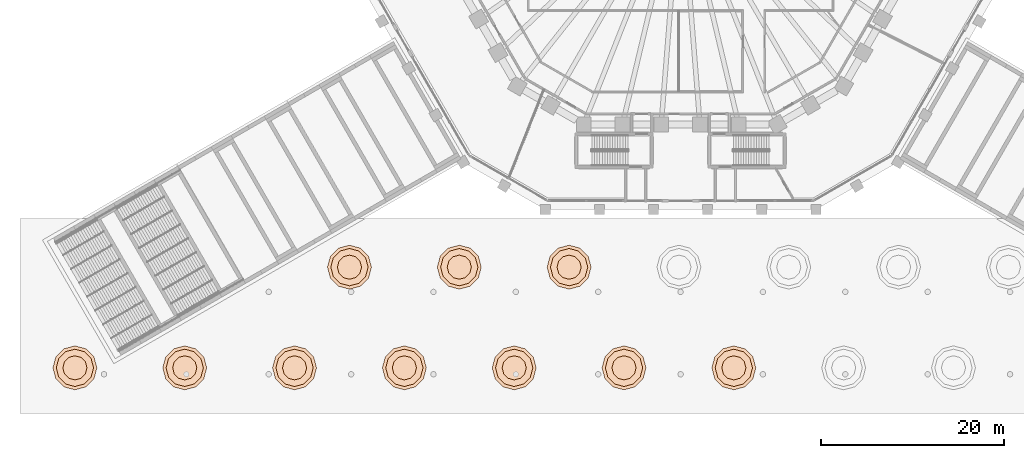
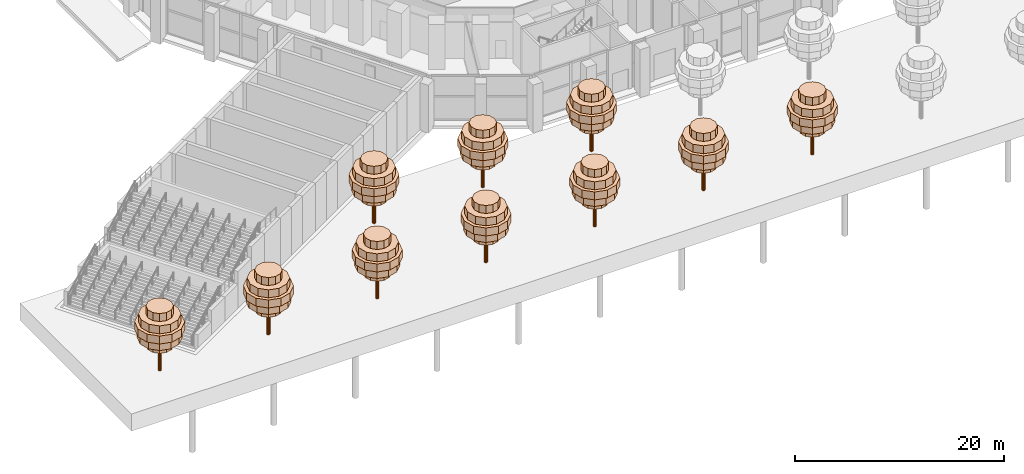
# One storey, part 42 of 44: 10 geographic elements.
"""IFC4 building model written with IfcOpenShell, lengths in metres."""

from ifc_helpers import new_model, si_unit, direction, frame, origin, place, context, subcontext, project, spatial, polyline, outline, extrude, element, save


model = new_model("IFC4")

# Units and contexts
model_context = context("Model", 3, precision=1e-05, world=origin(), true_north=direction((0.0, 1.0)))
body_context = subcontext(model_context, "Body", "Model", "MODEL_VIEW")
ifc_project = project(units=[si_unit("LENGTHUNIT", "METRE"), si_unit("AREAUNIT", "SQUARE_METRE"), si_unit("VOLUMEUNIT", "CUBIC_METRE"), si_unit("PLANEANGLEUNIT", "RADIAN"), si_unit("MASSUNIT", "GRAM", prefix="KILO")], contexts=[model_context])

# Site, building, storey
site_placement = place(None, origin())
site = spatial("IfcSite", under=ifc_project, at=site_placement, CompositionType="ELEMENT")
building_placement = place(site_placement, origin())
building = spatial("IfcBuilding", under=site, at=building_placement, Name="Frailejon Research Tower", CompositionType="ELEMENT")
storey_placement = place(building_placement, origin())
storey = spatial("IfcBuildingStorey", under=building, at=storey_placement, Name="L00", CompositionType="ELEMENT", Elevation=0.0)

# Geographic elements
geographic_element_1_placement = place(storey_placement, frame((-66.178955078125, -53.2958984375, 0.0)))
element("IfcGeographicElement", 1, at=geographic_element_1_placement, inside=storey, Name="Plaza tree", ObjectType="TREE", PredefinedType="USERDEFINED", context=body_context, shape_type="SweptSolid", body=[
    extrude(outline(polyline([(0.179931640625, 0.0), (0.156005859375, 0.090087890625), (0.090087890625, 0.156005859375), (0.0, 0.179931640625), (-0.090087890625, 0.156005859375), (-0.156005859375, 0.090087890625), (-0.179931640625, 0.0), (-0.156005859375, -0.090087890625), (-0.090087890625, -0.156005859375), (0.0, -0.179931640625), (0.090087890625, -0.156005859375), (0.156005859375, -0.090087890625), (0.179931640625, 0.0)])), origin(), (0.0, 0.0, 1.0), 5.639892578125),
    extrude(outline(polyline([(1.320068359375, 0.0), (1.14306640625, 0.659912109375), (0.659912109375, 1.14306640625), (0.0, 1.320068359375), (-0.659912109375, 1.14306640625), (-1.14306640625, 0.659912109375), (-1.320068359375, 0.0), (-1.14306640625, -0.659912109375), (-0.659912109375, -1.14306640625), (0.0, -1.320068359375), (0.659912109375, -1.14306640625), (1.14306640625, -0.659912109375), (1.320068359375, 0.0)])), frame((0.0, 0.0, 2.85009765625)), (0.0, 0.0, 1.0), 0.929931640625),
    extrude(outline(polyline([(2.159912109375, 0.0), (1.87060546875, 1.080078125), (1.080078125, 1.87060546875), (0.0, 2.159912109375), (-1.080078125, 1.87060546875), (-1.87060546875, 1.080078125), (-2.159912109375, 0.0), (-1.87060546875, -1.080078125), (-1.080078125, -1.87060546875), (0.0, -2.159912109375), (1.080078125, -1.87060546875), (1.87060546875, -1.080078125), (2.159912109375, 0.0)])), frame((0.0, 0.0, 3.780029296875)), (0.0, 0.0, 1.0), 0.929931640625),
    extrude(outline(polyline([(2.39990234375, 0.0), (2.078369140625, 1.199951171875), (1.199951171875, 2.078369140625), (0.0, 2.39990234375), (-1.199951171875, 2.078369140625), (-2.078369140625, 1.199951171875), (-2.39990234375, 0.0), (-2.078369140625, -1.199951171875), (-1.199951171875, -2.078369140625), (0.0, -2.39990234375), (1.199951171875, -2.078369140625), (2.078369140625, -1.199951171875), (2.39990234375, 0.0)])), frame((0.0, 0.0, 4.7099609375)), (0.0, 0.0, 1.0), 0.929931640625),
    extrude(outline(polyline([(2.0400390625, 0.0), (1.7666015625, 1.02001953125), (1.02001953125, 1.7666015625), (0.0, 2.0400390625), (-1.02001953125, 1.7666015625), (-1.7666015625, 1.02001953125), (-2.0400390625, 0.0), (-1.7666015625, -1.02001953125), (-1.02001953125, -1.7666015625), (0.0, -2.0400390625), (1.02001953125, -1.7666015625), (1.7666015625, -1.02001953125), (2.0400390625, 0.0)])), frame((0.0, 0.0, 5.639892578125)), (0.0, 0.0, 1.0), 0.929931640625),
    extrude(outline(polyline([(1.320068359375, 0.0), (1.14306640625, 0.659912109375), (0.659912109375, 1.14306640625), (0.0, 1.320068359375), (-0.659912109375, 1.14306640625), (-1.14306640625, 0.659912109375), (-1.320068359375, 0.0), (-1.14306640625, -0.659912109375), (-0.659912109375, -1.14306640625), (0.0, -1.320068359375), (0.659912109375, -1.14306640625), (1.14306640625, -0.659912109375), (1.320068359375, 0.0)])), frame((0.0, 0.0, 6.570068359375)), (0.0, 0.0, 1.0), 0.929931640625),
])
geographic_element_2_placement = place(storey_placement, frame((-54.178955078125, -53.2958984375, 0.0)))
element("IfcGeographicElement", 2, at=geographic_element_2_placement, inside=storey, Name="Plaza tree", ObjectType="TREE", PredefinedType="USERDEFINED", context=body_context, shape_type="SweptSolid", body=[
    extrude(outline(polyline([(0.179931640625, 0.0), (0.156005859375, 0.090087890625), (0.090087890625, 0.156005859375), (0.0, 0.179931640625), (-0.090087890625, 0.156005859375), (-0.156005859375, 0.090087890625), (-0.179931640625, 0.0), (-0.156005859375, -0.090087890625), (-0.090087890625, -0.156005859375), (0.0, -0.179931640625), (0.090087890625, -0.156005859375), (0.156005859375, -0.090087890625), (0.179931640625, 0.0)])), origin(), (0.0, 0.0, 1.0), 5.639892578125),
    extrude(outline(polyline([(1.320068359375, 0.0), (1.14306640625, 0.659912109375), (0.659912109375, 1.14306640625), (0.0, 1.320068359375), (-0.659912109375, 1.14306640625), (-1.14306640625, 0.659912109375), (-1.320068359375, 0.0), (-1.14306640625, -0.659912109375), (-0.659912109375, -1.14306640625), (0.0, -1.320068359375), (0.659912109375, -1.14306640625), (1.14306640625, -0.659912109375), (1.320068359375, 0.0)])), frame((0.0, 0.0, 2.85009765625)), (0.0, 0.0, 1.0), 0.929931640625),
    extrude(outline(polyline([(2.159912109375, 0.0), (1.87060546875, 1.080078125), (1.080078125, 1.87060546875), (0.0, 2.159912109375), (-1.080078125, 1.87060546875), (-1.87060546875, 1.080078125), (-2.159912109375, 0.0), (-1.87060546875, -1.080078125), (-1.080078125, -1.87060546875), (0.0, -2.159912109375), (1.080078125, -1.87060546875), (1.87060546875, -1.080078125), (2.159912109375, 0.0)])), frame((0.0, 0.0, 3.780029296875)), (0.0, 0.0, 1.0), 0.929931640625),
    extrude(outline(polyline([(2.39990234375, 0.0), (2.078369140625, 1.199951171875), (1.199951171875, 2.078369140625), (0.0, 2.39990234375), (-1.199951171875, 2.078369140625), (-2.078369140625, 1.199951171875), (-2.39990234375, 0.0), (-2.078369140625, -1.199951171875), (-1.199951171875, -2.078369140625), (0.0, -2.39990234375), (1.199951171875, -2.078369140625), (2.078369140625, -1.199951171875), (2.39990234375, 0.0)])), frame((0.0, 0.0, 4.7099609375)), (0.0, 0.0, 1.0), 0.929931640625),
    extrude(outline(polyline([(2.0400390625, 0.0), (1.7666015625, 1.02001953125), (1.02001953125, 1.7666015625), (0.0, 2.0400390625), (-1.02001953125, 1.7666015625), (-1.7666015625, 1.02001953125), (-2.0400390625, 0.0), (-1.7666015625, -1.02001953125), (-1.02001953125, -1.7666015625), (0.0, -2.0400390625), (1.02001953125, -1.7666015625), (1.7666015625, -1.02001953125), (2.0400390625, 0.0)])), frame((0.0, 0.0, 5.639892578125)), (0.0, 0.0, 1.0), 0.929931640625),
    extrude(outline(polyline([(1.320068359375, 0.0), (1.14306640625, 0.659912109375), (0.659912109375, 1.14306640625), (0.0, 1.320068359375), (-0.659912109375, 1.14306640625), (-1.14306640625, 0.659912109375), (-1.320068359375, 0.0), (-1.14306640625, -0.659912109375), (-0.659912109375, -1.14306640625), (0.0, -1.320068359375), (0.659912109375, -1.14306640625), (1.14306640625, -0.659912109375), (1.320068359375, 0.0)])), frame((0.0, 0.0, 6.570068359375)), (0.0, 0.0, 1.0), 0.929931640625),
])
geographic_element_3_placement = place(storey_placement, frame((-42.178955078125, -53.2958984375, 0.0)))
element("IfcGeographicElement", 3, at=geographic_element_3_placement, inside=storey, Name="Plaza tree", ObjectType="TREE", PredefinedType="USERDEFINED", context=body_context, shape_type="SweptSolid", body=[
    extrude(outline(polyline([(0.179931640625, 0.0), (0.156005859375, 0.090087890625), (0.090087890625, 0.156005859375), (0.0, 0.179931640625), (-0.090087890625, 0.156005859375), (-0.156005859375, 0.090087890625), (-0.179931640625, 0.0), (-0.156005859375, -0.090087890625), (-0.090087890625, -0.156005859375), (0.0, -0.179931640625), (0.090087890625, -0.156005859375), (0.156005859375, -0.090087890625), (0.179931640625, 0.0)])), origin(), (0.0, 0.0, 1.0), 5.639892578125),
    extrude(outline(polyline([(1.320068359375, 0.0), (1.14306640625, 0.659912109375), (0.659912109375, 1.14306640625), (0.0, 1.320068359375), (-0.659912109375, 1.14306640625), (-1.14306640625, 0.659912109375), (-1.320068359375, 0.0), (-1.14306640625, -0.659912109375), (-0.659912109375, -1.14306640625), (0.0, -1.320068359375), (0.659912109375, -1.14306640625), (1.14306640625, -0.659912109375), (1.320068359375, 0.0)])), frame((0.0, 0.0, 2.85009765625)), (0.0, 0.0, 1.0), 0.929931640625),
    extrude(outline(polyline([(2.159912109375, 0.0), (1.87060546875, 1.080078125), (1.080078125, 1.87060546875), (0.0, 2.159912109375), (-1.080078125, 1.87060546875), (-1.87060546875, 1.080078125), (-2.159912109375, 0.0), (-1.87060546875, -1.080078125), (-1.080078125, -1.87060546875), (0.0, -2.159912109375), (1.080078125, -1.87060546875), (1.87060546875, -1.080078125), (2.159912109375, 0.0)])), frame((0.0, 0.0, 3.780029296875)), (0.0, 0.0, 1.0), 0.929931640625),
    extrude(outline(polyline([(2.39990234375, 0.0), (2.078369140625, 1.199951171875), (1.199951171875, 2.078369140625), (0.0, 2.39990234375), (-1.199951171875, 2.078369140625), (-2.078369140625, 1.199951171875), (-2.39990234375, 0.0), (-2.078369140625, -1.199951171875), (-1.199951171875, -2.078369140625), (0.0, -2.39990234375), (1.199951171875, -2.078369140625), (2.078369140625, -1.199951171875), (2.39990234375, 0.0)])), frame((0.0, 0.0, 4.7099609375)), (0.0, 0.0, 1.0), 0.929931640625),
    extrude(outline(polyline([(2.0400390625, 0.0), (1.7666015625, 1.02001953125), (1.02001953125, 1.7666015625), (0.0, 2.0400390625), (-1.02001953125, 1.7666015625), (-1.7666015625, 1.02001953125), (-2.0400390625, 0.0), (-1.7666015625, -1.02001953125), (-1.02001953125, -1.7666015625), (0.0, -2.0400390625), (1.02001953125, -1.7666015625), (1.7666015625, -1.02001953125), (2.0400390625, 0.0)])), frame((0.0, 0.0, 5.639892578125)), (0.0, 0.0, 1.0), 0.929931640625),
    extrude(outline(polyline([(1.320068359375, 0.0), (1.14306640625, 0.659912109375), (0.659912109375, 1.14306640625), (0.0, 1.320068359375), (-0.659912109375, 1.14306640625), (-1.14306640625, 0.659912109375), (-1.320068359375, 0.0), (-1.14306640625, -0.659912109375), (-0.659912109375, -1.14306640625), (0.0, -1.320068359375), (0.659912109375, -1.14306640625), (1.14306640625, -0.659912109375), (1.320068359375, 0.0)])), frame((0.0, 0.0, 6.570068359375)), (0.0, 0.0, 1.0), 0.929931640625),
])
geographic_element_4_placement = place(storey_placement, frame((-30.178955078125, -53.2958984375, 0.0)))
element("IfcGeographicElement", 4, at=geographic_element_4_placement, inside=storey, Name="Plaza tree", ObjectType="TREE", PredefinedType="USERDEFINED", context=body_context, shape_type="SweptSolid", body=[
    extrude(outline(polyline([(0.179931640625, 0.0), (0.156005859375, 0.090087890625), (0.090087890625, 0.156005859375), (0.0, 0.179931640625), (-0.090087890625, 0.156005859375), (-0.156005859375, 0.090087890625), (-0.179931640625, 0.0), (-0.156005859375, -0.090087890625), (-0.090087890625, -0.156005859375), (0.0, -0.179931640625), (0.090087890625, -0.156005859375), (0.156005859375, -0.090087890625), (0.179931640625, 0.0)])), origin(), (0.0, 0.0, 1.0), 5.639892578125),
    extrude(outline(polyline([(1.320068359375, 0.0), (1.14306640625, 0.659912109375), (0.659912109375, 1.14306640625), (0.0, 1.320068359375), (-0.659912109375, 1.14306640625), (-1.14306640625, 0.659912109375), (-1.320068359375, 0.0), (-1.14306640625, -0.659912109375), (-0.659912109375, -1.14306640625), (0.0, -1.320068359375), (0.659912109375, -1.14306640625), (1.14306640625, -0.659912109375), (1.320068359375, 0.0)])), frame((0.0, 0.0, 2.85009765625)), (0.0, 0.0, 1.0), 0.929931640625),
    extrude(outline(polyline([(2.159912109375, 0.0), (1.87060546875, 1.080078125), (1.080078125, 1.87060546875), (0.0, 2.159912109375), (-1.080078125, 1.87060546875), (-1.87060546875, 1.080078125), (-2.159912109375, 0.0), (-1.87060546875, -1.080078125), (-1.080078125, -1.87060546875), (0.0, -2.159912109375), (1.080078125, -1.87060546875), (1.87060546875, -1.080078125), (2.159912109375, 0.0)])), frame((0.0, 0.0, 3.780029296875)), (0.0, 0.0, 1.0), 0.929931640625),
    extrude(outline(polyline([(2.39990234375, 0.0), (2.078369140625, 1.199951171875), (1.199951171875, 2.078369140625), (0.0, 2.39990234375), (-1.199951171875, 2.078369140625), (-2.078369140625, 1.199951171875), (-2.39990234375, 0.0), (-2.078369140625, -1.199951171875), (-1.199951171875, -2.078369140625), (0.0, -2.39990234375), (1.199951171875, -2.078369140625), (2.078369140625, -1.199951171875), (2.39990234375, 0.0)])), frame((0.0, 0.0, 4.7099609375)), (0.0, 0.0, 1.0), 0.929931640625),
    extrude(outline(polyline([(2.0400390625, 0.0), (1.7666015625, 1.02001953125), (1.02001953125, 1.7666015625), (0.0, 2.0400390625), (-1.02001953125, 1.7666015625), (-1.7666015625, 1.02001953125), (-2.0400390625, 0.0), (-1.7666015625, -1.02001953125), (-1.02001953125, -1.7666015625), (0.0, -2.0400390625), (1.02001953125, -1.7666015625), (1.7666015625, -1.02001953125), (2.0400390625, 0.0)])), frame((0.0, 0.0, 5.639892578125)), (0.0, 0.0, 1.0), 0.929931640625),
    extrude(outline(polyline([(1.320068359375, 0.0), (1.14306640625, 0.659912109375), (0.659912109375, 1.14306640625), (0.0, 1.320068359375), (-0.659912109375, 1.14306640625), (-1.14306640625, 0.659912109375), (-1.320068359375, 0.0), (-1.14306640625, -0.659912109375), (-0.659912109375, -1.14306640625), (0.0, -1.320068359375), (0.659912109375, -1.14306640625), (1.14306640625, -0.659912109375), (1.320068359375, 0.0)])), frame((0.0, 0.0, 6.570068359375)), (0.0, 0.0, 1.0), 0.929931640625),
])
geographic_element_5_placement = place(storey_placement, frame((-18.178955078125, -53.2958984375, 0.0)))
element("IfcGeographicElement", 5, at=geographic_element_5_placement, inside=storey, Name="Plaza tree", ObjectType="TREE", PredefinedType="USERDEFINED", context=body_context, shape_type="SweptSolid", body=[
    extrude(outline(polyline([(0.179931640625, 0.0), (0.156005859375, 0.090087890625), (0.090087890625, 0.156005859375), (0.0, 0.179931640625), (-0.090087890625, 0.156005859375), (-0.156005859375, 0.090087890625), (-0.179931640625, 0.0), (-0.156005859375, -0.090087890625), (-0.090087890625, -0.156005859375), (0.0, -0.179931640625), (0.090087890625, -0.156005859375), (0.156005859375, -0.090087890625), (0.179931640625, 0.0)])), origin(), (0.0, 0.0, 1.0), 5.639892578125),
    extrude(outline(polyline([(1.320068359375, 0.0), (1.14306640625, 0.659912109375), (0.659912109375, 1.14306640625), (0.0, 1.320068359375), (-0.659912109375, 1.14306640625), (-1.14306640625, 0.659912109375), (-1.320068359375, 0.0), (-1.14306640625, -0.659912109375), (-0.659912109375, -1.14306640625), (0.0, -1.320068359375), (0.659912109375, -1.14306640625), (1.14306640625, -0.659912109375), (1.320068359375, 0.0)])), frame((0.0, 0.0, 2.85009765625)), (0.0, 0.0, 1.0), 0.929931640625),
    extrude(outline(polyline([(2.159912109375, 0.0), (1.87060546875, 1.080078125), (1.080078125, 1.87060546875), (0.0, 2.159912109375), (-1.080078125, 1.87060546875), (-1.87060546875, 1.080078125), (-2.159912109375, 0.0), (-1.87060546875, -1.080078125), (-1.080078125, -1.87060546875), (0.0, -2.159912109375), (1.080078125, -1.87060546875), (1.87060546875, -1.080078125), (2.159912109375, 0.0)])), frame((0.0, 0.0, 3.780029296875)), (0.0, 0.0, 1.0), 0.929931640625),
    extrude(outline(polyline([(2.39990234375, 0.0), (2.078369140625, 1.199951171875), (1.199951171875, 2.078369140625), (0.0, 2.39990234375), (-1.199951171875, 2.078369140625), (-2.078369140625, 1.199951171875), (-2.39990234375, 0.0), (-2.078369140625, -1.199951171875), (-1.199951171875, -2.078369140625), (0.0, -2.39990234375), (1.199951171875, -2.078369140625), (2.078369140625, -1.199951171875), (2.39990234375, 0.0)])), frame((0.0, 0.0, 4.7099609375)), (0.0, 0.0, 1.0), 0.929931640625),
    extrude(outline(polyline([(2.0400390625, 0.0), (1.7666015625, 1.02001953125), (1.02001953125, 1.7666015625), (0.0, 2.0400390625), (-1.02001953125, 1.7666015625), (-1.7666015625, 1.02001953125), (-2.0400390625, 0.0), (-1.7666015625, -1.02001953125), (-1.02001953125, -1.7666015625), (0.0, -2.0400390625), (1.02001953125, -1.7666015625), (1.7666015625, -1.02001953125), (2.0400390625, 0.0)])), frame((0.0, 0.0, 5.639892578125)), (0.0, 0.0, 1.0), 0.929931640625),
    extrude(outline(polyline([(1.320068359375, 0.0), (1.14306640625, 0.659912109375), (0.659912109375, 1.14306640625), (0.0, 1.320068359375), (-0.659912109375, 1.14306640625), (-1.14306640625, 0.659912109375), (-1.320068359375, 0.0), (-1.14306640625, -0.659912109375), (-0.659912109375, -1.14306640625), (0.0, -1.320068359375), (0.659912109375, -1.14306640625), (1.14306640625, -0.659912109375), (1.320068359375, 0.0)])), frame((0.0, 0.0, 6.570068359375)), (0.0, 0.0, 1.0), 0.929931640625),
])
geographic_element_6_placement = place(storey_placement, frame((-6.178955078125, -53.2958984375, 0.0)))
element("IfcGeographicElement", 6, at=geographic_element_6_placement, inside=storey, Name="Plaza tree", ObjectType="TREE", PredefinedType="USERDEFINED", context=body_context, shape_type="SweptSolid", body=[
    extrude(outline(polyline([(0.179931640625, 0.0), (0.156005859375, 0.090087890625), (0.090087890625, 0.156005859375), (0.0, 0.179931640625), (-0.090087890625, 0.156005859375), (-0.156005859375, 0.090087890625), (-0.179931640625, 0.0), (-0.156005859375, -0.090087890625), (-0.090087890625, -0.156005859375), (0.0, -0.179931640625), (0.090087890625, -0.156005859375), (0.156005859375, -0.090087890625), (0.179931640625, 0.0)])), origin(), (0.0, 0.0, 1.0), 5.639892578125),
    extrude(outline(polyline([(1.320068359375, 0.0), (1.14306640625, 0.659912109375), (0.659912109375, 1.14306640625), (0.0, 1.320068359375), (-0.659912109375, 1.14306640625), (-1.14306640625, 0.659912109375), (-1.320068359375, 0.0), (-1.14306640625, -0.659912109375), (-0.659912109375, -1.14306640625), (0.0, -1.320068359375), (0.659912109375, -1.14306640625), (1.14306640625, -0.659912109375), (1.320068359375, 0.0)])), frame((0.0, 0.0, 2.85009765625)), (0.0, 0.0, 1.0), 0.929931640625),
    extrude(outline(polyline([(2.159912109375, 0.0), (1.87060546875, 1.080078125), (1.080078125, 1.87060546875), (0.0, 2.159912109375), (-1.080078125, 1.87060546875), (-1.87060546875, 1.080078125), (-2.159912109375, 0.0), (-1.87060546875, -1.080078125), (-1.080078125, -1.87060546875), (0.0, -2.159912109375), (1.080078125, -1.87060546875), (1.87060546875, -1.080078125), (2.159912109375, 0.0)])), frame((0.0, 0.0, 3.780029296875)), (0.0, 0.0, 1.0), 0.929931640625),
    extrude(outline(polyline([(2.39990234375, 0.0), (2.078369140625, 1.199951171875), (1.199951171875, 2.078369140625), (0.0, 2.39990234375), (-1.199951171875, 2.078369140625), (-2.078369140625, 1.199951171875), (-2.39990234375, 0.0), (-2.078369140625, -1.199951171875), (-1.199951171875, -2.078369140625), (0.0, -2.39990234375), (1.199951171875, -2.078369140625), (2.078369140625, -1.199951171875), (2.39990234375, 0.0)])), frame((0.0, 0.0, 4.7099609375)), (0.0, 0.0, 1.0), 0.929931640625),
    extrude(outline(polyline([(2.0400390625, 0.0), (1.7666015625, 1.02001953125), (1.02001953125, 1.7666015625), (0.0, 2.0400390625), (-1.02001953125, 1.7666015625), (-1.7666015625, 1.02001953125), (-2.0400390625, 0.0), (-1.7666015625, -1.02001953125), (-1.02001953125, -1.7666015625), (0.0, -2.0400390625), (1.02001953125, -1.7666015625), (1.7666015625, -1.02001953125), (2.0400390625, 0.0)])), frame((0.0, 0.0, 5.639892578125)), (0.0, 0.0, 1.0), 0.929931640625),
    extrude(outline(polyline([(1.320068359375, 0.0), (1.14306640625, 0.659912109375), (0.659912109375, 1.14306640625), (0.0, 1.320068359375), (-0.659912109375, 1.14306640625), (-1.14306640625, 0.659912109375), (-1.320068359375, 0.0), (-1.14306640625, -0.659912109375), (-0.659912109375, -1.14306640625), (0.0, -1.320068359375), (0.659912109375, -1.14306640625), (1.14306640625, -0.659912109375), (1.320068359375, 0.0)])), frame((0.0, 0.0, 6.570068359375)), (0.0, 0.0, 1.0), 0.929931640625),
])
geographic_element_7_placement = place(storey_placement, frame((5.821044921875, -53.2958984375, 0.0)))
element("IfcGeographicElement", 7, at=geographic_element_7_placement, inside=storey, Name="Plaza tree", ObjectType="TREE", PredefinedType="USERDEFINED", context=body_context, shape_type="SweptSolid", body=[
    extrude(outline(polyline([(0.179931640625, 0.0), (0.156005859375, 0.090087890625), (0.090087890625, 0.156005859375), (0.0, 0.179931640625), (-0.090087890625, 0.156005859375), (-0.156005859375, 0.090087890625), (-0.179931640625, 0.0), (-0.156005859375, -0.090087890625), (-0.090087890625, -0.156005859375), (0.0, -0.179931640625), (0.090087890625, -0.156005859375), (0.156005859375, -0.090087890625), (0.179931640625, 0.0)])), origin(), (0.0, 0.0, 1.0), 5.639892578125),
    extrude(outline(polyline([(1.320068359375, 0.0), (1.14306640625, 0.659912109375), (0.659912109375, 1.14306640625), (0.0, 1.320068359375), (-0.659912109375, 1.14306640625), (-1.14306640625, 0.659912109375), (-1.320068359375, 0.0), (-1.14306640625, -0.659912109375), (-0.659912109375, -1.14306640625), (0.0, -1.320068359375), (0.659912109375, -1.14306640625), (1.14306640625, -0.659912109375), (1.320068359375, 0.0)])), frame((0.0, 0.0, 2.85009765625)), (0.0, 0.0, 1.0), 0.929931640625),
    extrude(outline(polyline([(2.159912109375, 0.0), (1.87060546875, 1.080078125), (1.080078125, 1.87060546875), (0.0, 2.159912109375), (-1.080078125, 1.87060546875), (-1.87060546875, 1.080078125), (-2.159912109375, 0.0), (-1.87060546875, -1.080078125), (-1.080078125, -1.87060546875), (0.0, -2.159912109375), (1.080078125, -1.87060546875), (1.87060546875, -1.080078125), (2.159912109375, 0.0)])), frame((0.0, 0.0, 3.780029296875)), (0.0, 0.0, 1.0), 0.929931640625),
    extrude(outline(polyline([(2.39990234375, 0.0), (2.078369140625, 1.199951171875), (1.199951171875, 2.078369140625), (0.0, 2.39990234375), (-1.199951171875, 2.078369140625), (-2.078369140625, 1.199951171875), (-2.39990234375, 0.0), (-2.078369140625, -1.199951171875), (-1.199951171875, -2.078369140625), (0.0, -2.39990234375), (1.199951171875, -2.078369140625), (2.078369140625, -1.199951171875), (2.39990234375, 0.0)])), frame((0.0, 0.0, 4.7099609375)), (0.0, 0.0, 1.0), 0.929931640625),
    extrude(outline(polyline([(2.0400390625, 0.0), (1.7666015625, 1.02001953125), (1.02001953125, 1.7666015625), (0.0, 2.0400390625), (-1.02001953125, 1.7666015625), (-1.7666015625, 1.02001953125), (-2.0400390625, 0.0), (-1.7666015625, -1.02001953125), (-1.02001953125, -1.7666015625), (0.0, -2.0400390625), (1.02001953125, -1.7666015625), (1.7666015625, -1.02001953125), (2.0400390625, 0.0)])), frame((0.0, 0.0, 5.639892578125)), (0.0, 0.0, 1.0), 0.929931640625),
    extrude(outline(polyline([(1.320068359375, 0.0), (1.14306640625, 0.659912109375), (0.659912109375, 1.14306640625), (0.0, 1.320068359375), (-0.659912109375, 1.14306640625), (-1.14306640625, 0.659912109375), (-1.320068359375, 0.0), (-1.14306640625, -0.659912109375), (-0.659912109375, -1.14306640625), (0.0, -1.320068359375), (0.659912109375, -1.14306640625), (1.14306640625, -0.659912109375), (1.320068359375, 0.0)])), frame((0.0, 0.0, 6.570068359375)), (0.0, 0.0, 1.0), 0.929931640625),
])
geographic_element_8_placement = place(storey_placement, frame((-36.178955078125, -42.2958984375, 0.0)))
element("IfcGeographicElement", 8, at=geographic_element_8_placement, inside=storey, Name="Plaza tree", ObjectType="TREE", PredefinedType="USERDEFINED", context=body_context, shape_type="SweptSolid", body=[
    extrude(outline(polyline([(0.179931640625, 0.0), (0.156005859375, 0.090087890625), (0.090087890625, 0.156005859375), (0.0, 0.179931640625), (-0.090087890625, 0.156005859375), (-0.156005859375, 0.090087890625), (-0.179931640625, 0.0), (-0.156005859375, -0.090087890625), (-0.090087890625, -0.156005859375), (0.0, -0.179931640625), (0.090087890625, -0.156005859375), (0.156005859375, -0.090087890625), (0.179931640625, 0.0)])), origin(), (0.0, 0.0, 1.0), 5.639892578125),
    extrude(outline(polyline([(1.320068359375, 0.0), (1.14306640625, 0.659912109375), (0.659912109375, 1.14306640625), (0.0, 1.320068359375), (-0.659912109375, 1.14306640625), (-1.14306640625, 0.659912109375), (-1.320068359375, 0.0), (-1.14306640625, -0.659912109375), (-0.659912109375, -1.14306640625), (0.0, -1.320068359375), (0.659912109375, -1.14306640625), (1.14306640625, -0.659912109375), (1.320068359375, 0.0)])), frame((0.0, 0.0, 2.85009765625)), (0.0, 0.0, 1.0), 0.929931640625),
    extrude(outline(polyline([(2.159912109375, 0.0), (1.87060546875, 1.080078125), (1.080078125, 1.87060546875), (0.0, 2.159912109375), (-1.080078125, 1.87060546875), (-1.87060546875, 1.080078125), (-2.159912109375, 0.0), (-1.87060546875, -1.080078125), (-1.080078125, -1.87060546875), (0.0, -2.159912109375), (1.080078125, -1.87060546875), (1.87060546875, -1.080078125), (2.159912109375, 0.0)])), frame((0.0, 0.0, 3.780029296875)), (0.0, 0.0, 1.0), 0.929931640625),
    extrude(outline(polyline([(2.39990234375, 0.0), (2.078369140625, 1.199951171875), (1.199951171875, 2.078369140625), (0.0, 2.39990234375), (-1.199951171875, 2.078369140625), (-2.078369140625, 1.199951171875), (-2.39990234375, 0.0), (-2.078369140625, -1.199951171875), (-1.199951171875, -2.078369140625), (0.0, -2.39990234375), (1.199951171875, -2.078369140625), (2.078369140625, -1.199951171875), (2.39990234375, 0.0)])), frame((0.0, 0.0, 4.7099609375)), (0.0, 0.0, 1.0), 0.929931640625),
    extrude(outline(polyline([(2.0400390625, 0.0), (1.7666015625, 1.02001953125), (1.02001953125, 1.7666015625), (0.0, 2.0400390625), (-1.02001953125, 1.7666015625), (-1.7666015625, 1.02001953125), (-2.0400390625, 0.0), (-1.7666015625, -1.02001953125), (-1.02001953125, -1.7666015625), (0.0, -2.0400390625), (1.02001953125, -1.7666015625), (1.7666015625, -1.02001953125), (2.0400390625, 0.0)])), frame((0.0, 0.0, 5.639892578125)), (0.0, 0.0, 1.0), 0.929931640625),
    extrude(outline(polyline([(1.320068359375, 0.0), (1.14306640625, 0.659912109375), (0.659912109375, 1.14306640625), (0.0, 1.320068359375), (-0.659912109375, 1.14306640625), (-1.14306640625, 0.659912109375), (-1.320068359375, 0.0), (-1.14306640625, -0.659912109375), (-0.659912109375, -1.14306640625), (0.0, -1.320068359375), (0.659912109375, -1.14306640625), (1.14306640625, -0.659912109375), (1.320068359375, 0.0)])), frame((0.0, 0.0, 6.570068359375)), (0.0, 0.0, 1.0), 0.929931640625),
])
geographic_element_9_placement = place(storey_placement, frame((-24.178955078125, -42.2958984375, 0.0)))
element("IfcGeographicElement", 9, at=geographic_element_9_placement, inside=storey, Name="Plaza tree", ObjectType="TREE", PredefinedType="USERDEFINED", context=body_context, shape_type="SweptSolid", body=[
    extrude(outline(polyline([(0.179931640625, 0.0), (0.156005859375, 0.090087890625), (0.090087890625, 0.156005859375), (0.0, 0.179931640625), (-0.090087890625, 0.156005859375), (-0.156005859375, 0.090087890625), (-0.179931640625, 0.0), (-0.156005859375, -0.090087890625), (-0.090087890625, -0.156005859375), (0.0, -0.179931640625), (0.090087890625, -0.156005859375), (0.156005859375, -0.090087890625), (0.179931640625, 0.0)])), origin(), (0.0, 0.0, 1.0), 5.639892578125),
    extrude(outline(polyline([(1.320068359375, 0.0), (1.14306640625, 0.659912109375), (0.659912109375, 1.14306640625), (0.0, 1.320068359375), (-0.659912109375, 1.14306640625), (-1.14306640625, 0.659912109375), (-1.320068359375, 0.0), (-1.14306640625, -0.659912109375), (-0.659912109375, -1.14306640625), (0.0, -1.320068359375), (0.659912109375, -1.14306640625), (1.14306640625, -0.659912109375), (1.320068359375, 0.0)])), frame((0.0, 0.0, 2.85009765625)), (0.0, 0.0, 1.0), 0.929931640625),
    extrude(outline(polyline([(2.159912109375, 0.0), (1.87060546875, 1.080078125), (1.080078125, 1.87060546875), (0.0, 2.159912109375), (-1.080078125, 1.87060546875), (-1.87060546875, 1.080078125), (-2.159912109375, 0.0), (-1.87060546875, -1.080078125), (-1.080078125, -1.87060546875), (0.0, -2.159912109375), (1.080078125, -1.87060546875), (1.87060546875, -1.080078125), (2.159912109375, 0.0)])), frame((0.0, 0.0, 3.780029296875)), (0.0, 0.0, 1.0), 0.929931640625),
    extrude(outline(polyline([(2.39990234375, 0.0), (2.078369140625, 1.199951171875), (1.199951171875, 2.078369140625), (0.0, 2.39990234375), (-1.199951171875, 2.078369140625), (-2.078369140625, 1.199951171875), (-2.39990234375, 0.0), (-2.078369140625, -1.199951171875), (-1.199951171875, -2.078369140625), (0.0, -2.39990234375), (1.199951171875, -2.078369140625), (2.078369140625, -1.199951171875), (2.39990234375, 0.0)])), frame((0.0, 0.0, 4.7099609375)), (0.0, 0.0, 1.0), 0.929931640625),
    extrude(outline(polyline([(2.0400390625, 0.0), (1.7666015625, 1.02001953125), (1.02001953125, 1.7666015625), (0.0, 2.0400390625), (-1.02001953125, 1.7666015625), (-1.7666015625, 1.02001953125), (-2.0400390625, 0.0), (-1.7666015625, -1.02001953125), (-1.02001953125, -1.7666015625), (0.0, -2.0400390625), (1.02001953125, -1.7666015625), (1.7666015625, -1.02001953125), (2.0400390625, 0.0)])), frame((0.0, 0.0, 5.639892578125)), (0.0, 0.0, 1.0), 0.929931640625),
    extrude(outline(polyline([(1.320068359375, 0.0), (1.14306640625, 0.659912109375), (0.659912109375, 1.14306640625), (0.0, 1.320068359375), (-0.659912109375, 1.14306640625), (-1.14306640625, 0.659912109375), (-1.320068359375, 0.0), (-1.14306640625, -0.659912109375), (-0.659912109375, -1.14306640625), (0.0, -1.320068359375), (0.659912109375, -1.14306640625), (1.14306640625, -0.659912109375), (1.320068359375, 0.0)])), frame((0.0, 0.0, 6.570068359375)), (0.0, 0.0, 1.0), 0.929931640625),
])
geographic_element_10_placement = place(storey_placement, frame((-12.178955078125, -42.2958984375, 0.0)))
element("IfcGeographicElement", 10, at=geographic_element_10_placement, inside=storey, Name="Plaza tree", ObjectType="TREE", PredefinedType="USERDEFINED", context=body_context, shape_type="SweptSolid", body=[
    extrude(outline(polyline([(0.179931640625, 0.0), (0.156005859375, 0.090087890625), (0.090087890625, 0.156005859375), (0.0, 0.179931640625), (-0.090087890625, 0.156005859375), (-0.156005859375, 0.090087890625), (-0.179931640625, 0.0), (-0.156005859375, -0.090087890625), (-0.090087890625, -0.156005859375), (0.0, -0.179931640625), (0.090087890625, -0.156005859375), (0.156005859375, -0.090087890625), (0.179931640625, 0.0)])), origin(), (0.0, 0.0, 1.0), 5.639892578125),
    extrude(outline(polyline([(1.320068359375, 0.0), (1.14306640625, 0.659912109375), (0.659912109375, 1.14306640625), (0.0, 1.320068359375), (-0.659912109375, 1.14306640625), (-1.14306640625, 0.659912109375), (-1.320068359375, 0.0), (-1.14306640625, -0.659912109375), (-0.659912109375, -1.14306640625), (0.0, -1.320068359375), (0.659912109375, -1.14306640625), (1.14306640625, -0.659912109375), (1.320068359375, 0.0)])), frame((0.0, 0.0, 2.85009765625)), (0.0, 0.0, 1.0), 0.929931640625),
    extrude(outline(polyline([(2.159912109375, 0.0), (1.87060546875, 1.080078125), (1.080078125, 1.87060546875), (0.0, 2.159912109375), (-1.080078125, 1.87060546875), (-1.87060546875, 1.080078125), (-2.159912109375, 0.0), (-1.87060546875, -1.080078125), (-1.080078125, -1.87060546875), (0.0, -2.159912109375), (1.080078125, -1.87060546875), (1.87060546875, -1.080078125), (2.159912109375, 0.0)])), frame((0.0, 0.0, 3.780029296875)), (0.0, 0.0, 1.0), 0.929931640625),
    extrude(outline(polyline([(2.39990234375, 0.0), (2.078369140625, 1.199951171875), (1.199951171875, 2.078369140625), (0.0, 2.39990234375), (-1.199951171875, 2.078369140625), (-2.078369140625, 1.199951171875), (-2.39990234375, 0.0), (-2.078369140625, -1.199951171875), (-1.199951171875, -2.078369140625), (0.0, -2.39990234375), (1.199951171875, -2.078369140625), (2.078369140625, -1.199951171875), (2.39990234375, 0.0)])), frame((0.0, 0.0, 4.7099609375)), (0.0, 0.0, 1.0), 0.929931640625),
    extrude(outline(polyline([(2.0400390625, 0.0), (1.7666015625, 1.02001953125), (1.02001953125, 1.7666015625), (0.0, 2.0400390625), (-1.02001953125, 1.7666015625), (-1.7666015625, 1.02001953125), (-2.0400390625, 0.0), (-1.7666015625, -1.02001953125), (-1.02001953125, -1.7666015625), (0.0, -2.0400390625), (1.02001953125, -1.7666015625), (1.7666015625, -1.02001953125), (2.0400390625, 0.0)])), frame((0.0, 0.0, 5.639892578125)), (0.0, 0.0, 1.0), 0.929931640625),
    extrude(outline(polyline([(1.320068359375, 0.0), (1.14306640625, 0.659912109375), (0.659912109375, 1.14306640625), (0.0, 1.320068359375), (-0.659912109375, 1.14306640625), (-1.14306640625, 0.659912109375), (-1.320068359375, 0.0), (-1.14306640625, -0.659912109375), (-0.659912109375, -1.14306640625), (0.0, -1.320068359375), (0.659912109375, -1.14306640625), (1.14306640625, -0.659912109375), (1.320068359375, 0.0)])), frame((0.0, 0.0, 6.570068359375)), (0.0, 0.0, 1.0), 0.929931640625),
])

save(model, "model.ifc")
